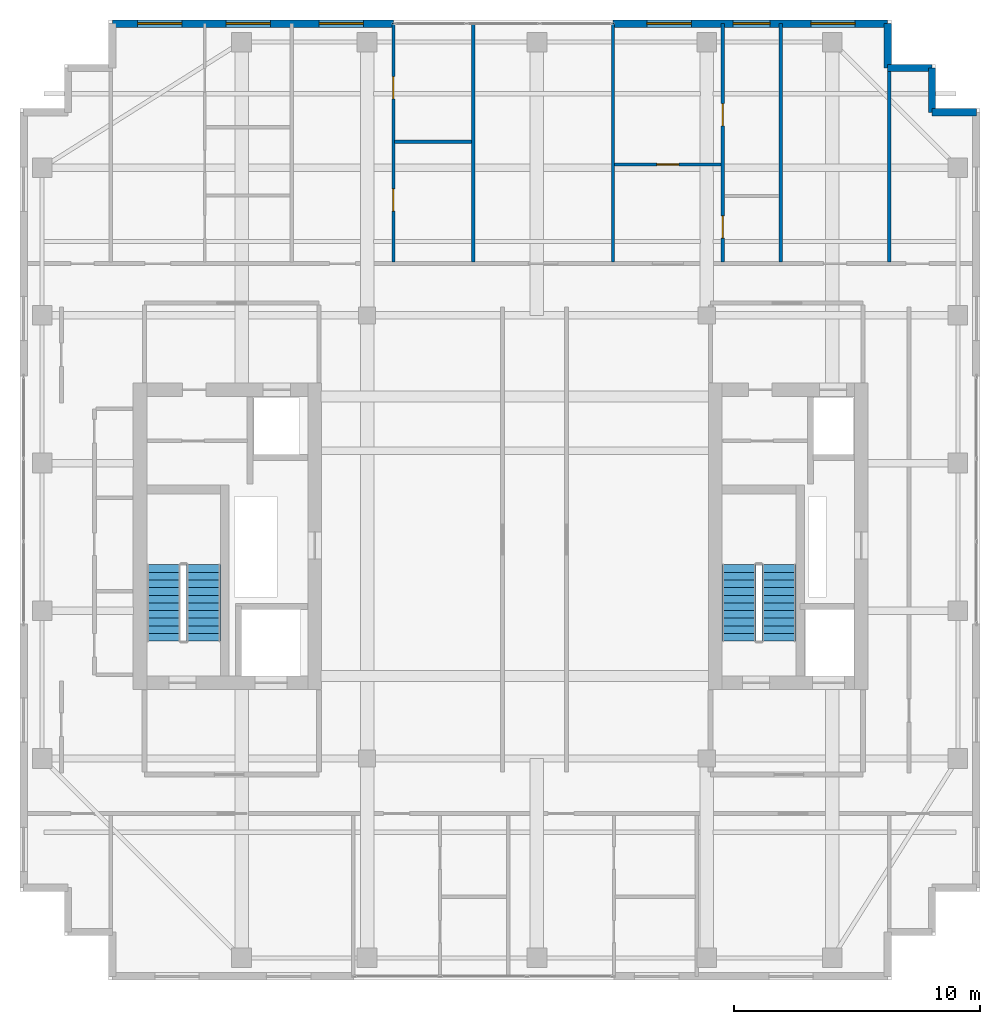
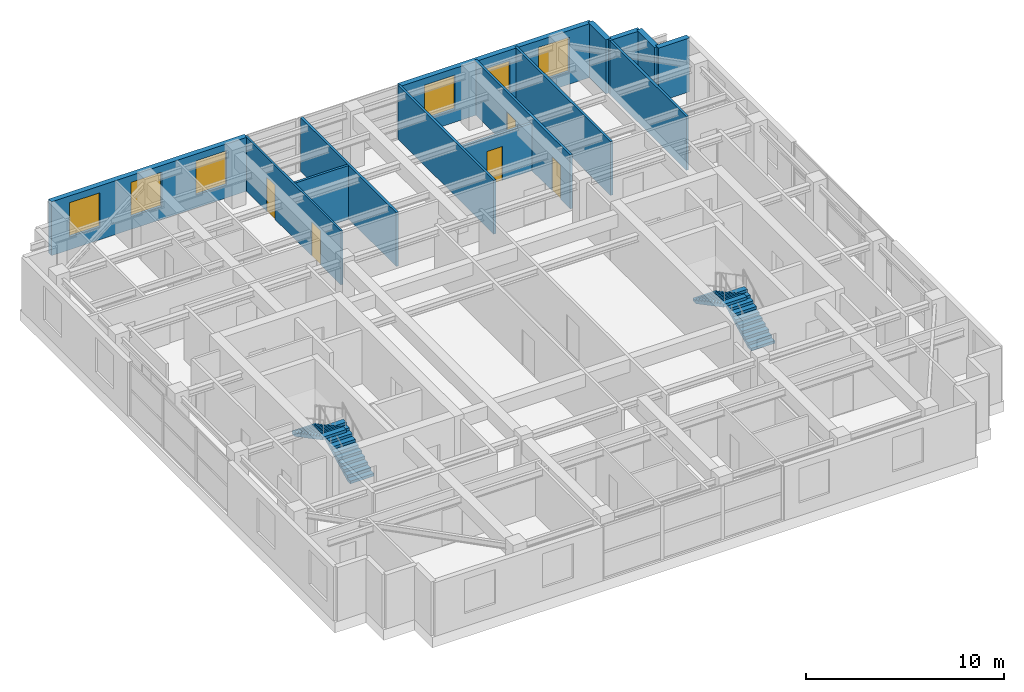
# One storey, part 20 of 21: 14 walls, 6 windows, 5 doors, 4 stair flights, 11 openings, 2 elements without a shape of their own.
"""IFC4 building model written with IfcOpenShell, lengths in metres."""

from ifc_helpers import new_model, si_unit, direction, frame, frame_2d, origin, place, context, subcontext, project, spatial, polyline, rectangle, outline, extrude, source, transform, mapped, material, layer, layer_set, type_object, element, fill, aggregate, save


model = new_model("IFC4")

# Units and contexts
model_context = context("Model", 3, precision=1e-05, world=origin(), true_north=direction((0.0, 1.0)))
body_context = subcontext(model_context, "Body", "Model", "MODEL_VIEW")
ifc_project = project(units=[si_unit("LENGTHUNIT", "METRE"), si_unit("AREAUNIT", "SQUARE_METRE"), si_unit("VOLUMEUNIT", "CUBIC_METRE"), si_unit("PLANEANGLEUNIT", "RADIAN"), si_unit("MASSUNIT", "GRAM", prefix="KILO")], contexts=[model_context])

# Site, building, storey
site_placement = place(None, origin())
site = spatial("IfcSite", under=ifc_project, at=site_placement, CompositionType="ELEMENT")
building_placement = place(site_placement, origin())
building = spatial("IfcBuilding", under=site, at=building_placement, Name="Khoralis Quay Care Tower", CompositionType="ELEMENT")
storey_placement = place(building_placement, frame((0.0, 0.0, 267.300048828125)))
storey = spatial("IfcBuildingStorey", under=building, at=storey_placement, Name="L70", CompositionType="ELEMENT", Elevation=267.300048828125)

# Walls
ifc_material_1 = material(Name="Precast concrete C45/55", Category="concrete")
ifc_layer_1 = layer(ifc_material_1, 0.300048828125)
ifc_layer_set_1 = layer_set([ifc_layer_1], Name="Precast concrete C45/55")
wall_type_1 = type_object("IfcWallType", Name="WL-EXT-REF-300", PredefinedType="SOLIDWALL", material=ifc_layer_set_1)
for number, where, z_axis, x_axis, name in (
    (1, (41.85009765625, 38.25, 0.0), (0.0, 0.0, 1.0), (-1.0, 0.0, 0.0), "L70 External Facade Wall WL-EXT-L70-P1-C6"),
    (2, (40.050048828125, 38.25, 0.0), (0.0, 0.0, 1.0), (0.0, 1.0, 0.0), "L70 External Facade Wall WL-EXT-L70-P1-C7"),
    (3, (40.050048828125, 40.050048828125, 0.0), (0.0, 0.0, 1.0), (-1.0, 0.0, 0.0), "L70 External Facade Wall WL-EXT-L70-P1-C8"),
    (4, (38.25, 40.050048828125, 0.0), (0.0, 0.0, 1.0), (0.0, 1.0, 0.0), "L70 External Facade Wall WL-EXT-L70-P1-C9"),
):
    element("IfcWall", number, at=place(storey_placement, frame(where, z_axis=z_axis, x_axis=x_axis)), inside=storey, type_object=wall_type_1, Name=name, PredefinedType="SOLIDWALL", context=body_context, shape_type="SweptSolid", body=[
        extrude(rectangle(XDim=1.800048828125, YDim=0.300048828125, at=frame_2d((0.89990234375, 0.0))), origin(), (0.0, 0.0, 1.0), 3.320068359375),
    ])

# Wall, openings, windows
wall_1_placement = place(storey_placement, frame((38.25, 41.85009765625, 0.0), z_axis=(0.0, 0.0, 1.0), x_axis=(-1.0, 0.0, 0.0)))
wall_1 = element("IfcWall", 5, at=wall_1_placement, inside=storey, type_object=wall_type_1, Name="L70 External Facade Wall WL-EXT-L70-P1-E10A", PredefinedType="SOLIDWALL", context=body_context, shape_type="SweptSolid", body=[
    extrude(rectangle(XDim=11.159912109375, YDim=0.300048828125, at=frame_2d((5.580078125, 0.0))), origin(), (0.0, 0.0, 1.0), 3.320068359375),
])
opening_1_placement = place(wall_1_placement, frame((1.324951171875, 0.0, 0.800048828125)))
opening_1 = element("IfcOpeningElement", 6, at=opening_1_placement, cuts=wall_1, Name="Opening W2", PredefinedType="OPENING", context=body_context, shape_type="SweptSolid", body=[
    extrude(rectangle(XDim=1.800048828125, YDim=2.10009765625, at=frame_2d((0.89990234375, 1.050048828125))), frame((0.0, 0.16015625, 0.0), z_axis=(0.0, -1.0, 0.0), x_axis=(1.0, 0.0, 0.0)), (0.0, 0.0, 1.0), 0.320068359375),
])
opening_2_placement = place(wall_1_placement, frame((4.77490234375, 0.0, 0.85009765625)))
opening_2 = element("IfcOpeningElement", 7, at=opening_2_placement, cuts=wall_1, Name="Opening W3", PredefinedType="OPENING", context=body_context, shape_type="SweptSolid", body=[
    extrude(rectangle(XDim=1.5, YDim=1.800048828125, at=frame_2d((0.75, 0.89990234375))), frame((0.0, 0.16015625, 0.0), z_axis=(0.0, -1.0, 0.0), x_axis=(1.0, 0.0, 0.0)), (0.0, 0.0, 1.0), 0.320068359375),
])
opening_3_placement = place(wall_1_placement, frame((7.97998046875, 0.0, 0.800048828125)))
opening_3 = element("IfcOpeningElement", 8, at=opening_3_placement, cuts=wall_1, Name="Opening W2", PredefinedType="OPENING", context=body_context, shape_type="SweptSolid", body=[
    extrude(rectangle(XDim=1.800048828125, YDim=2.10009765625, at=frame_2d((0.89990234375, 1.050048828125))), frame((0.0, 0.16015625, 0.0), z_axis=(0.0, -1.0, 0.0), x_axis=(1.0, 0.0, 0.0)), (0.0, 0.0, 1.0), 0.320068359375),
])
ifc_material_2 = material(Name="Low-E solar-control double glazing", Category="glass")
window_type_1 = type_object("IfcWindowType", Name="WN-CLIN-1500X1800", PartitioningType="SINGLE_PANEL", PredefinedType="WINDOW", material=ifc_material_2)
shared_shape_1 = source(origin(), body_context, "Body", "SweptSolid", [
    extrude(rectangle(XDim=1.5, YDim=1.800048828125, at=frame_2d((0.75, 0.89990234375))), frame((0.0, 0.030029296875, 0.0), z_axis=(0.0, -1.0, 0.0), x_axis=(1.0, 0.0, 0.0)), (0.0, 0.0, 1.0), 0.06005859375),
])
window_1_placement = place(opening_2_placement, origin())
window_1 = element("IfcWindow", 9, at=window_1_placement, inside=storey, type_object=window_type_1, Name="WN-L70-P1-E10A Facade Window 02", OverallHeight=1.800048828125, OverallWidth=1.5, PartitioningType="SINGLE_PANEL", PredefinedType="WINDOW", context=body_context, shape_type="MappedRepresentation", body=[
    mapped(shared_shape_1, transform((0.0, 0.0, 0.0), scale=1.0)),
])
fill(opening_2, window_1)
window_type_2 = type_object("IfcWindowType", Name="WN-POD-1800X2100", PartitioningType="SINGLE_PANEL", PredefinedType="WINDOW", material=ifc_material_2)
shared_shape_2 = source(origin(), body_context, "Body", "SweptSolid", [
    extrude(rectangle(XDim=1.800048828125, YDim=2.10009765625, at=frame_2d((0.89990234375, 1.050048828125))), frame((0.0, 0.030029296875, 0.0), z_axis=(0.0, -1.0, 0.0), x_axis=(1.0, 0.0, 0.0)), (0.0, 0.0, 1.0), 0.06005859375),
])
window_2_placement = place(opening_1_placement, origin())
window_2 = element("IfcWindow", 10, at=window_2_placement, inside=storey, type_object=window_type_2, Name="WN-L70-P1-E10A Facade Window 01", OverallHeight=2.10009765625, OverallWidth=1.800048828125, PartitioningType="SINGLE_PANEL", PredefinedType="WINDOW", context=body_context, shape_type="MappedRepresentation", body=[
    mapped(shared_shape_2, transform((0.0, 0.0, 0.0), scale=1.0)),
])
fill(opening_1, window_2)
window_3_placement = place(opening_3_placement, origin())
window_3 = element("IfcWindow", 11, at=window_3_placement, inside=storey, type_object=window_type_2, Name="WN-L70-P1-E10A Facade Window 03", OverallHeight=2.10009765625, OverallWidth=1.800048828125, PartitioningType="SINGLE_PANEL", PredefinedType="WINDOW", context=body_context, shape_type="MappedRepresentation", body=[
    mapped(shared_shape_2, transform((0.0, 0.0, 0.0), scale=1.0)),
])
fill(opening_3, window_3)

wall_2_placement = place(storey_placement, frame((18.1669921875, 41.85009765625, 0.0), z_axis=(0.0, 0.0, 1.0), x_axis=(-1.0, 0.0, 0.0)))
wall_2 = element("IfcWall", 12, at=wall_2_placement, inside=storey, type_object=wall_type_1, Name="L70 External Facade Wall WL-EXT-L70-P1-E10B", PredefinedType="SOLIDWALL", context=body_context, shape_type="SweptSolid", body=[
    extrude(rectangle(XDim=11.4169921875, YDim=0.300048828125, at=frame_2d((5.70849609375, 0.0))), origin(), (0.0, 0.0, 1.0), 3.320068359375),
])
opening_4_placement = place(wall_2_placement, frame((1.21337890625, 0.0, 0.800048828125)))
opening_4 = element("IfcOpeningElement", 13, at=opening_4_placement, cuts=wall_2, Name="Opening W2", PredefinedType="OPENING", context=body_context, shape_type="SweptSolid", body=[
    extrude(rectangle(XDim=1.800048828125, YDim=2.10009765625, at=frame_2d((0.89990234375, 1.050048828125))), frame((0.0, 0.16015625, 0.0), z_axis=(0.0, -1.0, 0.0), x_axis=(1.0, 0.0, 0.0)), (0.0, 0.0, 1.0), 0.320068359375),
])
opening_5_placement = place(wall_2_placement, frame((4.993408203125, 0.0, 0.800048828125)))
opening_5 = element("IfcOpeningElement", 14, at=opening_5_placement, cuts=wall_2, Name="Opening W2", PredefinedType="OPENING", context=body_context, shape_type="SweptSolid", body=[
    extrude(rectangle(XDim=1.800048828125, YDim=2.10009765625, at=frame_2d((0.89990234375, 1.050048828125))), frame((0.0, 0.16015625, 0.0), z_axis=(0.0, -1.0, 0.0), x_axis=(1.0, 0.0, 0.0)), (0.0, 0.0, 1.0), 0.320068359375),
])
opening_6_placement = place(wall_2_placement, frame((8.58837890625, 0.0, 0.800048828125)))
opening_6 = element("IfcOpeningElement", 15, at=opening_6_placement, cuts=wall_2, Name="Opening W2", PredefinedType="OPENING", context=body_context, shape_type="SweptSolid", body=[
    extrude(rectangle(XDim=1.800048828125, YDim=2.10009765625, at=frame_2d((0.89990234375, 1.050048828125))), frame((0.0, 0.16015625, 0.0), z_axis=(0.0, -1.0, 0.0), x_axis=(1.0, 0.0, 0.0)), (0.0, 0.0, 1.0), 0.320068359375),
])
window_4_placement = place(opening_4_placement, origin())
window_4 = element("IfcWindow", 16, at=window_4_placement, inside=storey, type_object=window_type_2, Name="WN-L70-P1-E10B Facade Window 01", OverallHeight=2.10009765625, OverallWidth=1.800048828125, PartitioningType="SINGLE_PANEL", PredefinedType="WINDOW", context=body_context, shape_type="MappedRepresentation", body=[
    mapped(shared_shape_2, transform((0.0, 0.0, 0.0), scale=1.0)),
])
fill(opening_4, window_4)
window_5_placement = place(opening_5_placement, origin())
window_5 = element("IfcWindow", 17, at=window_5_placement, inside=storey, type_object=window_type_2, Name="WN-L70-P1-E10B Facade Window 02", OverallHeight=2.10009765625, OverallWidth=1.800048828125, PartitioningType="SINGLE_PANEL", PredefinedType="WINDOW", context=body_context, shape_type="MappedRepresentation", body=[
    mapped(shared_shape_2, transform((0.0, 0.0, 0.0), scale=1.0)),
])
fill(opening_5, window_5)
window_6_placement = place(opening_6_placement, origin())
window_6 = element("IfcWindow", 18, at=window_6_placement, inside=storey, type_object=window_type_2, Name="WN-L70-P1-E10B Facade Window 03", OverallHeight=2.10009765625, OverallWidth=1.800048828125, PartitioningType="SINGLE_PANEL", PredefinedType="WINDOW", context=body_context, shape_type="MappedRepresentation", body=[
    mapped(shared_shape_2, transform((0.0, 0.0, 0.0), scale=1.0)),
])
fill(opening_6, window_6)

# Wall, openings, doors
ifc_material_3 = material(Name="Gypsum plasterboard on acoustic metal stud")
ifc_layer_2 = layer(ifc_material_3, 0.114990234375)
ifc_layer_set_2 = layer_set([ifc_layer_2], Name="Gypsum plasterboard on acoustic metal stud")
wall_type_2 = type_object("IfcWallType", Name="WL-PART-115", PredefinedType="PARTITIONING", material=ifc_layer_set_2)
wall_3_placement = place(storey_placement, frame((18.1669921875, 32.177490234375, 0.0), z_axis=(0.0, 0.0, 1.0), x_axis=(0.0, 1.0, 0.0)))
wall_3 = element("IfcWall", 19, at=wall_3_placement, inside=storey, type_object=wall_type_2, Name="L70 Studio 1 Internal Wall", PredefinedType="PARTITIONING", context=body_context, shape_type="SweptSolid", body=[
    extrude(rectangle(XDim=9.677490234375, YDim=0.114990234375, at=frame_2d((4.8388671875, 0.0))), origin(), (0.0, 0.0, 1.0), 3.320068359375),
])
opening_7_placement = place(wall_3_placement, frame((6.62255859375, 0.0, 0.0)))
opening_7 = element("IfcOpeningElement", 20, at=opening_7_placement, cuts=wall_3, Name="Opening WD1", PredefinedType="OPENING", context=body_context, shape_type="SweptSolid", body=[
    extrude(rectangle(XDim=0.89990234375, YDim=2.10009765625, at=frame_2d((0.449951171875, 1.050048828125))), frame((0.0, 0.0673828125, 0.0), z_axis=(0.0, -1.0, 0.0), x_axis=(1.0, 0.0, 0.0)), (0.0, 0.0, 1.0), 0.135009765625),
])
opening_8_placement = place(wall_3_placement, frame((2.0625, 0.0, 0.0)))
opening_8 = element("IfcOpeningElement", 21, at=opening_8_placement, cuts=wall_3, Name="Opening WD1", PredefinedType="OPENING", context=body_context, shape_type="SweptSolid", body=[
    extrude(rectangle(XDim=0.89990234375, YDim=2.10009765625, at=frame_2d((0.449951171875, 1.050048828125))), frame((0.0, 0.0673828125, 0.0), z_axis=(0.0, -1.0, 0.0), x_axis=(1.0, 0.0, 0.0)), (0.0, 0.0, 1.0), 0.135009765625),
])
ifc_material_4 = material(Name="Acoustic hardwood timber", Category="wood")
door_type = type_object("IfcDoorType", Name="DR-BATH-900X2100", OperationType="NOTDEFINED", PredefinedType="DOOR", material=ifc_material_4)
shared_shape_3 = source(origin(), body_context, "Body", "SweptSolid", [
    extrude(rectangle(XDim=0.89990234375, YDim=2.10009765625, at=frame_2d((0.449951171875, 1.050048828125))), frame((0.0, 0.02490234375, 0.0), z_axis=(0.0, -1.0, 0.0), x_axis=(1.0, 0.0, 0.0)), (0.0, 0.0, 1.0), 0.050048828125),
])
door_1_placement = place(opening_7_placement, frame((0.89990234375, 0.0, 0.0), z_axis=(0.0, 0.0, 1.0), x_axis=(-1.0, 0.0, 0.0)))
door_1 = element("IfcDoor", 22, at=door_1_placement, inside=storey, type_object=door_type, Name="L70 Studio SKT Door", OperationType="SINGLE_SWING_RIGHT", OverallHeight=2.10009765625, OverallWidth=0.89990234375, PredefinedType="DOOR", context=body_context, shape_type="MappedRepresentation", body=[
    mapped(shared_shape_3, transform((0.0, 0.0, 0.0), scale=1.0)),
])
fill(opening_7, door_1)
door_2_placement = place(opening_8_placement, frame((0.89990234375, 0.0, 0.0), z_axis=(0.0, 0.0, 1.0), x_axis=(-1.0, 0.0, 0.0)))
door_2 = element("IfcDoor", 23, at=door_2_placement, inside=storey, type_object=door_type, Name="L70 Studio SBH Door", OperationType="SINGLE_SWING_LEFT", OverallHeight=2.10009765625, OverallWidth=0.89990234375, PredefinedType="DOOR", context=body_context, shape_type="MappedRepresentation", body=[
    mapped(shared_shape_3, transform((0.0, 0.0, 0.0), scale=1.0)),
])
fill(opening_8, door_2)

# Wall
ifc_material_5 = material(Name="Moisture-resistant gypsum and ceramic tile")
ifc_layer_3 = layer(ifc_material_5, 0.280029296875)
ifc_layer_set_3 = layer_set([ifc_layer_3], Name="Moisture-resistant gypsum and ceramic tile")
wall_type_3 = type_object("IfcWallType", Name="WL-PLUMB-280", PredefinedType="PLUMBINGWALL", material=ifc_layer_set_3)
wall_4_placement = place(storey_placement, frame((18.219482421875, 37.050048828125, 0.0), z_axis=(0.0, 0.0, 1.0), x_axis=(1.0, 0.0, 0.0)))
element("IfcWall", 24, at=wall_4_placement, inside=storey, type_object=wall_type_3, Name="L70 Studio 1 Wet Split", PredefinedType="PLUMBINGWALL", context=body_context, shape_type="SweptSolid", body=[
    extrude(rectangle(XDim=3.12548828125, YDim=0.139892578125, at=frame_2d((1.562744140625, 0.0))), origin(), (0.0, 0.0, 1.0), 3.320068359375),
])

# Wall, openings, doors
wall_5_placement = place(storey_placement, frame((31.550048828125, 32.177490234375, 0.0), z_axis=(0.0, 0.0, 1.0), x_axis=(0.0, 1.0, 0.0)))
wall_5 = element("IfcWall", 25, at=wall_5_placement, inside=storey, type_object=wall_type_3, Name="L70 Care Suite 3 En-Suite Wall V", PredefinedType="PLUMBINGWALL", context=body_context, shape_type="SweptSolid", body=[
    extrude(rectangle(XDim=9.677490234375, YDim=0.139892578125, at=frame_2d((4.8388671875, 0.0))), origin(), (0.0, 0.0, 1.0), 3.320068359375),
])
opening_9_placement = place(wall_5_placement, frame((0.96240234375, 0.0, 0.0)))
opening_9 = element("IfcOpeningElement", 26, at=opening_9_placement, cuts=wall_5, Name="Opening WD1", PredefinedType="OPENING", context=body_context, shape_type="SweptSolid", body=[
    extrude(rectangle(XDim=0.89990234375, YDim=2.10009765625, at=frame_2d((0.449951171875, 1.050048828125))), frame((0.0, 0.080078125, 0.0), z_axis=(0.0, -1.0, 0.0), x_axis=(1.0, 0.0, 0.0)), (0.0, 0.0, 1.0), 0.159912109375),
])
opening_10_placement = place(wall_5_placement, frame((5.5224609375, 0.0, 0.0)))
opening_10 = element("IfcOpeningElement", 27, at=opening_10_placement, cuts=wall_5, Name="Opening WD1", PredefinedType="OPENING", context=body_context, shape_type="SweptSolid", body=[
    extrude(rectangle(XDim=0.89990234375, YDim=2.10009765625, at=frame_2d((0.449951171875, 1.050048828125))), frame((0.0, 0.080078125, 0.0), z_axis=(0.0, -1.0, 0.0), x_axis=(1.0, 0.0, 0.0)), (0.0, 0.0, 1.0), 0.159912109375),
])
door_3_placement = place(opening_9_placement, frame((0.89990234375, 0.0, 0.0), z_axis=(0.0, 0.0, 1.0), x_axis=(-1.0, 0.0, 0.0)))
door_3 = element("IfcDoor", 28, at=door_3_placement, inside=storey, type_object=door_type, Name="L70 Care CENS Door", OperationType="SINGLE_SWING_RIGHT", OverallHeight=2.10009765625, OverallWidth=0.89990234375, PredefinedType="DOOR", context=body_context, shape_type="MappedRepresentation", body=[
    mapped(shared_shape_3, transform((0.0, 0.0, 0.0), scale=1.0)),
])
fill(opening_9, door_3)
door_4_placement = place(opening_10_placement, frame((0.89990234375, 0.0, 0.0), z_axis=(0.0, 0.0, 1.0), x_axis=(-1.0, 0.0, 0.0)))
door_4 = element("IfcDoor", 29, at=door_4_placement, inside=storey, type_object=door_type, Name="L70 Care CSIT Door", OperationType="SINGLE_SWING_LEFT", OverallHeight=2.10009765625, OverallWidth=0.89990234375, PredefinedType="DOOR", context=body_context, shape_type="MappedRepresentation", body=[
    mapped(shared_shape_3, transform((0.0, 0.0, 0.0), scale=1.0)),
])
fill(opening_10, door_4)

# Walls
ifc_layer_4 = layer(ifc_material_3, 0.139892578125)
ifc_layer_set_4 = layer_set([ifc_layer_4], Name="Gypsum plasterboard on acoustic metal stud")
wall_type_4 = type_object("IfcWallType", Name="WL-UNIT-140", PredefinedType="PARTITIONING", material=ifc_layer_set_4)
for number, where, z_axis, x_axis, name in (
    (30, (21.409912109375, 32.177490234375, 0.0), (0.0, 0.0, 1.0), (0.0, 1.0, 0.0), "L70 NB Demising Wall 2"),
    (31, (27.090087890625, 32.177490234375, 0.0), (0.0, 0.0, 1.0), (0.0, 1.0, 0.0), "L70 NB Demising Wall 3"),
    (32, (33.89990234375, 32.177490234375, 0.0), (0.0, 0.0, 1.0), (0.0, 1.0, 0.0), "L70 NB Demising Wall 4"),
):
    element("IfcWall", number, at=place(storey_placement, frame(where, z_axis=z_axis, x_axis=x_axis)), inside=storey, type_object=wall_type_4, Name=name, PredefinedType="PARTITIONING", context=body_context, shape_type="SweptSolid", body=[
        extrude(rectangle(XDim=9.677490234375, YDim=0.139892578125, at=frame_2d((4.8388671875, 0.0))), origin(), (0.0, 0.0, 1.0), 3.320068359375),
    ])
wall_6_placement = place(storey_placement, frame((38.320068359375, 32.177490234375, 0.0), z_axis=(0.0, 0.0, 1.0), x_axis=(0.0, 1.0, 0.0)))
element("IfcWall", 33, at=wall_6_placement, inside=storey, type_object=wall_type_4, Name="L70 NB Demising Wall 5", PredefinedType="PARTITIONING", context=body_context, shape_type="SweptSolid", body=[
    extrude(rectangle(XDim=7.87744140625, YDim=0.139892578125, at=frame_2d((3.938720703125, 0.0))), origin(), (0.0, 0.0, 1.0), 3.320068359375),
])

# Wall, opening, door
wall_7_placement = place(storey_placement, frame((27.155029296875, 36.1298828125, 0.0), z_axis=(0.0, 0.0, 1.0), x_axis=(1.0, 0.0, 0.0)))
wall_7 = element("IfcWall", 34, at=wall_7_placement, inside=storey, type_object=wall_type_4, Name="Skilled Care Bedroom L70-NB3 Sub-Partition", PredefinedType="PARTITIONING", context=body_context, shape_type="SweptSolid", body=[
    extrude(rectangle(XDim=4.330078125, YDim=0.139892578125, at=frame_2d((2.1650390625, 0.0))), origin(), (0.0, 0.0, 1.0), 2.919921875),
])
opening_11_placement = place(wall_7_placement, frame((1.715087890625, 0.0, 0.0)))
opening_11 = element("IfcOpeningElement", 35, at=opening_11_placement, cuts=wall_7, Name="Opening WD1", PredefinedType="OPENING", context=body_context, shape_type="SweptSolid", body=[
    extrude(rectangle(XDim=0.89990234375, YDim=2.10009765625, at=frame_2d((0.449951171875, 1.050048828125))), frame((0.0, 0.080078125, 0.0), z_axis=(0.0, -1.0, 0.0), x_axis=(1.0, 0.0, 0.0)), (0.0, 0.0, 1.0), 0.159912109375),
])
door_5_placement = place(opening_11_placement, frame((0.89990234375, 0.0, 0.0), z_axis=(0.0, 0.0, 1.0), x_axis=(-1.0, 0.0, 0.0)))
door_5 = element("IfcDoor", 36, at=door_5_placement, inside=storey, type_object=door_type, Name="Private Study & Reading Alcove ARE3 Door", OperationType="SINGLE_SWING_LEFT", OverallHeight=2.10009765625, OverallWidth=0.89990234375, PredefinedType="DOOR", context=body_context, shape_type="MappedRepresentation", body=[
    mapped(shared_shape_3, transform((0.0, 0.0, 0.0), scale=1.0)),
])
fill(opening_11, door_5)

# Stair, stair flights
stair_type = type_object("IfcStairType", Name="ST-TWR-DOGLEG-1400", PredefinedType="HALF_TURN_STAIR", material=ifc_material_1)
stair_1_placement = place(storey_placement, origin())
stair_1 = element("IfcStair", 37, at=stair_1_placement, inside=storey, type_object=stair_type, Name="L70 West Core Exit Stair ST-T1", PredefinedType="HALF_TURN_STAIR")
stair_flight_type = type_object("IfcStairFlightType", Name="SF-TWR-1400", PredefinedType="STRAIGHT", material=ifc_material_1)
shared_shape_4 = source(origin(), body_context, "Body", "SweptSolid", [
    extrude(outline(polyline([(0.0, 0.0), (0.0, 0.16357421875), (0.31005859375, 0.16357421875), (0.31005859375, 0.327392578125), (0.6201171875, 0.327392578125), (0.6201171875, 0.490966796875), (0.929931640625, 0.490966796875), (0.929931640625, 0.654541015625), (1.239990234375, 0.654541015625), (1.239990234375, 0.818115234375), (1.550048828125, 0.818115234375), (1.550048828125, 0.98193359375), (1.860107421875, 0.98193359375), (1.860107421875, 1.1455078125), (2.169921875, 1.1455078125), (2.169921875, 1.30908203125), (2.47998046875, 1.30908203125), (2.47998046875, 1.47265625), (2.7900390625, 1.47265625), (2.7900390625, 1.636474609375), (3.10009765625, 1.636474609375), (3.10009765625, 1.800048828125), (3.10009765625, 1.466796875), (0.321044921875, 0.0), (0.0, 0.0)])), frame((0.0, 0.68994140625, 0.0), z_axis=(0.0, -1.0, 0.0), x_axis=(1.0, 0.0, 0.0)), (0.0, 0.0, 1.0), 1.3798828125),
])
stair_flight_1_placement = place(storey_placement, frame((10.4599609375, 16.77001953125, 0.0), z_axis=(0.0, 0.0, 1.0), x_axis=(0.0, 1.0, 0.0)))
stair_flight_1 = element("IfcStairFlight", 38, at=stair_flight_1_placement, type_object=stair_flight_type, Name="ST-T1 flight 1", NumberOfRisers=11, NumberOfTreads=10, PredefinedType="STRAIGHT", RiserHeight=0.163636364, TreadLength=0.31, context=body_context, shape_type="MappedRepresentation", body=[
    mapped(shared_shape_4, transform((0.0, 0.0, 0.0), scale=1.0)),
])
stair_flight_2_placement = place(storey_placement, frame((8.840087890625, 19.8701171875, 1.800048828125), z_axis=(0.0, 0.0, 1.0), x_axis=(0.0, -1.0, 0.0)))
stair_flight_2 = element("IfcStairFlight", 39, at=stair_flight_2_placement, type_object=stair_flight_type, Name="ST-T1 flight 2", NumberOfRisers=11, NumberOfTreads=10, PredefinedType="STRAIGHT", RiserHeight=0.163636364, TreadLength=0.31, context=body_context, shape_type="MappedRepresentation", body=[
    mapped(shared_shape_4, transform((0.0, 0.0, 0.0), scale=1.0)),
])
aggregate(stair_1, [stair_flight_1, stair_flight_2])

stair_2_placement = place(storey_placement, origin())
stair_2 = element("IfcStair", 40, at=stair_2_placement, inside=storey, type_object=stair_type, Name="L70 East Core Exit Stair ST-T2", PredefinedType="HALF_TURN_STAIR")
stair_flight_3_placement = place(storey_placement, frame((33.830078125, 16.77001953125, 0.0), z_axis=(0.0, 0.0, 1.0), x_axis=(0.0, 1.0, 0.0)))
stair_flight_3 = element("IfcStairFlight", 41, at=stair_flight_3_placement, type_object=stair_flight_type, Name="ST-T2 flight 1", NumberOfRisers=11, NumberOfTreads=10, PredefinedType="STRAIGHT", RiserHeight=0.163636364, TreadLength=0.31, context=body_context, shape_type="MappedRepresentation", body=[
    mapped(shared_shape_4, transform((0.0, 0.0, 0.0), scale=1.0)),
])
stair_flight_4_placement = place(storey_placement, frame((32.2099609375, 19.8701171875, 1.800048828125), z_axis=(0.0, 0.0, 1.0), x_axis=(0.0, -1.0, 0.0)))
stair_flight_4 = element("IfcStairFlight", 42, at=stair_flight_4_placement, type_object=stair_flight_type, Name="ST-T2 flight 2", NumberOfRisers=11, NumberOfTreads=10, PredefinedType="STRAIGHT", RiserHeight=0.163636364, TreadLength=0.31, context=body_context, shape_type="MappedRepresentation", body=[
    mapped(shared_shape_4, transform((0.0, 0.0, 0.0), scale=1.0)),
])
aggregate(stair_2, [stair_flight_3, stair_flight_4])

save(model, "model.ifc")
